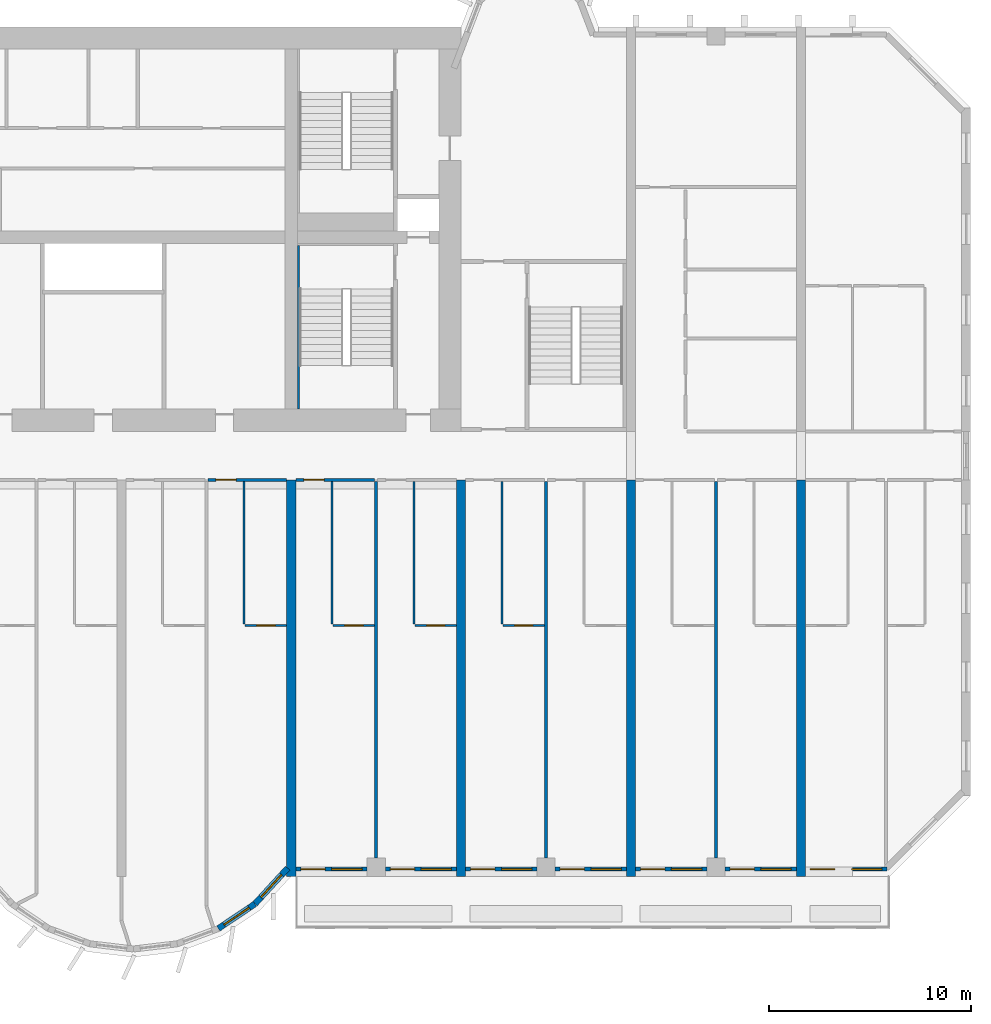
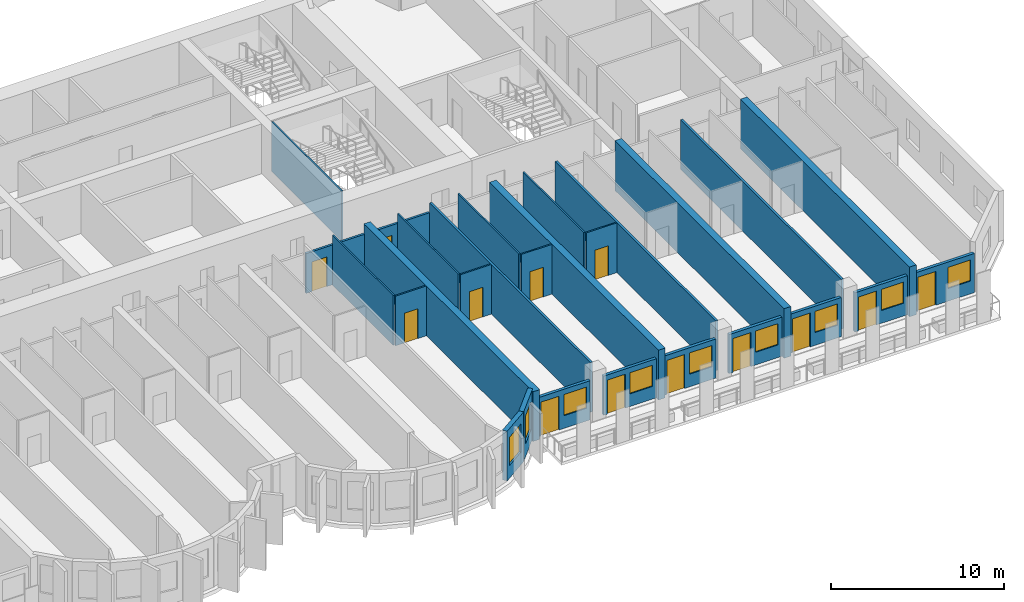
# One storey, part 8 of 15: 27 walls, 13 doors, 9 windows, 22 openings.
"""IFC4 building model written with IfcOpenShell, lengths in metres."""

from ifc_helpers import new_model, si_unit, direction, frame, frame_2d, origin, place, context, subcontext, project, spatial, rectangle, extrude, source, transform, mapped, material, layer, layer_set, type_object, element, fill, save


model = new_model("IFC4")

# Units and contexts
model_context = context("Model", 3, precision=1e-05, world=origin(), true_north=direction((0.0, 1.0)))
body_context = subcontext(model_context, "Body", "Model", "MODEL_VIEW")
ifc_project = project(units=[si_unit("LENGTHUNIT", "METRE"), si_unit("AREAUNIT", "SQUARE_METRE"), si_unit("VOLUMEUNIT", "CUBIC_METRE"), si_unit("PLANEANGLEUNIT", "RADIAN"), si_unit("MASSUNIT", "GRAM", prefix="KILO")], contexts=[model_context])

# Site, building, storey
site_placement = place(None, origin())
site = spatial("IfcSite", under=ifc_project, at=site_placement, CompositionType="ELEMENT")
building_placement = place(site_placement, origin())
building = spatial("IfcBuilding", under=site, at=building_placement, Name="Vanashikhar Sky Hotel", CompositionType="ELEMENT")
storey_placement = place(building_placement, frame((0.0, 0.0, 31.60009765625)))
storey = spatial("IfcBuildingStorey", under=building, at=storey_placement, Name="L06", CompositionType="ELEMENT", Elevation=31.60009765625)

# Walls
ifc_material_1 = material(Name="Concrete M80", Category="concrete")
ifc_layer_1 = layer(ifc_material_1, 0.449951171875)
ifc_layer_set_1 = layer_set([ifc_layer_1], Name="RC shear wall 450 Concrete M80")
wall_type_1 = type_object("IfcWallType", Name="RC shear wall 450 Concrete M80", PredefinedType="SHEAR", material=ifc_layer_set_1)
shared_shape_1 = source(origin(), body_context, "Body", "SweptSolid", [
    extrude(rectangle(XDim=19.60009765625, YDim=0.449951171875, at=frame_2d((9.800048828125, 0.0))), origin(), (0.0, 0.0, 1.0), 3.52001953125),
])
for number, where, z_axis, x_axis, name in (
    (1, (67.199951171875, 0.0, 0.0), (0.0, 0.0, 1.0), (0.0, 1.0, 0.0), "CW-L06-XW09-1"),
    (2, (75.60009765625, 0.0, 0.0), (0.0, 0.0, 1.0), (0.0, 1.0, 0.0), "CW-L06-XW10-1"),
    (3, (84.0, 0.0, 0.0), (0.0, 0.0, 1.0), (0.0, 1.0, 0.0), "CW-L06-XW11-1"),
    (4, (92.39990234375, 0.0, 0.0), (0.0, 0.0, 1.0), (0.0, 1.0, 0.0), "CW-L06-XW12-1"),
):
    element("IfcWall", number, at=place(storey_placement, frame(where, z_axis=z_axis, x_axis=x_axis)), inside=storey, type_object=wall_type_1, Name=name, PredefinedType="SHEAR", context=body_context, shape_type="MappedRepresentation", body=[
        mapped(shared_shape_1, transform((0.0, 0.0, 0.0), scale=1.0)),
    ])

# Wall, openings, window, door
ifc_material_2 = material(Name="Concrete M50", Category="concrete")
ifc_layer_2 = layer(ifc_material_2, 0.199951171875)
ifc_layer_set_2 = layer_set([ifc_layer_2], Name="Front window wall 200")
wall_type_2 = type_object("IfcWallType", Name="Front window wall 200", PredefinedType="SOLIDWALL", material=ifc_layer_set_2)
shared_shape_2 = source(origin(), body_context, "Body", "SweptSolid", [
    extrude(rectangle(XDim=4.030029296875, YDim=0.199951171875, at=frame_2d((2.01513671875, 0.0))), origin(), (0.0, 0.0, 1.0), 2.77001953125),
])
wall_1_placement = place(storey_placement, frame((92.625, 0.35009765625, 0.0), z_axis=(0.0, 0.0, 1.0), x_axis=(1.0, 0.0, 0.0)))
wall_1 = element("IfcWall", 5, at=wall_1_placement, inside=storey, type_object=wall_type_2, Name="Front window wall", PredefinedType="SOLIDWALL", context=body_context, shape_type="MappedRepresentation", body=[
    mapped(shared_shape_2, transform((0.0, 0.0, 0.0), scale=1.0)),
])
shared_shape_3 = source(origin(), body_context, "Body", "SweptSolid", [
    extrude(rectangle(XDim=1.199951171875, YDim=2.39990234375, at=frame_2d((0.60009765625, 1.199951171875))), frame((0.0, 0.10986328125, 0.0), z_axis=(0.0, -1.0, 0.0), x_axis=(1.0, 0.0, 0.0)), (0.0, 0.0, 1.0), 0.219970703125),
])
opening_1_placement = place(wall_1_placement, frame((0.25, 0.0, 0.0)))
opening_1 = element("IfcOpeningElement", 6, at=opening_1_placement, cuts=wall_1, Name="Opening BD-14", PredefinedType="OPENING", context=body_context, shape_type="MappedRepresentation", body=[
    mapped(shared_shape_3, transform((0.0, 0.0, 0.0), scale=1.0)),
])
shared_shape_4 = source(origin(), body_context, "Body", "SweptSolid", [
    extrude(rectangle(XDim=1.5, YDim=1.5, at=frame_2d((0.75, 0.75))), frame((0.0, 0.10986328125, 0.0), z_axis=(0.0, -1.0, 0.0), x_axis=(1.0, 0.0, 0.0)), (0.0, 0.0, 1.0), 0.219970703125),
])
opening_2_placement = place(wall_1_placement, frame((2.280029296875, 0.0, 0.89990234375)))
opening_2 = element("IfcOpeningElement", 7, at=opening_2_placement, cuts=wall_1, Name="Opening WN-1", PredefinedType="OPENING", context=body_context, shape_type="MappedRepresentation", body=[
    mapped(shared_shape_4, transform((0.0, 0.0, 0.0), scale=1.0)),
])
ifc_material_3 = material(Name="Glass", Category="glass")
window_type_1 = type_object("IfcWindowType", Name="Window 1500 x 1500", PartitioningType="SINGLE_PANEL", PredefinedType="WINDOW", material=ifc_material_3)
shared_shape_5 = source(origin(), body_context, "Body", "SweptSolid", [
    extrude(rectangle(XDim=1.5, YDim=1.5, at=frame_2d((0.75, 0.75))), frame((0.0, 0.030029296875, 0.0), z_axis=(0.0, -1.0, 0.0), x_axis=(1.0, 0.0, 0.0)), (0.0, 0.0, 1.0), 0.06005859375),
])
window_1_placement = place(opening_2_placement, origin())
window_1 = element("IfcWindow", 8, at=window_1_placement, inside=storey, type_object=window_type_1, Name="Window WN-1", OverallHeight=1.5, OverallWidth=1.5, PartitioningType="SINGLE_PANEL", PredefinedType="WINDOW", context=body_context, shape_type="MappedRepresentation", body=[
    mapped(shared_shape_5, transform((0.0, 0.0, 0.0), scale=1.0)),
])
fill(opening_2, window_1)
ifc_material_4 = material(Name="Aluminium", Category="aluminium")
door_type_1 = type_object("IfcDoorType", Name="Balcony sliding door 1200 x 2400", OperationType="NOTDEFINED", PredefinedType="DOOR", material=ifc_material_4)
shared_shape_6 = source(origin(), body_context, "Body", "SweptSolid", [
    extrude(rectangle(XDim=1.199951171875, YDim=2.39990234375, at=frame_2d((0.60009765625, 1.199951171875))), frame((0.0, 0.02490234375, 0.0), z_axis=(0.0, -1.0, 0.0), x_axis=(1.0, 0.0, 0.0)), (0.0, 0.0, 1.0), 0.050048828125),
])
door_1_placement = place(opening_1_placement, origin())
door_1 = element("IfcDoor", 9, at=door_1_placement, inside=storey, type_object=door_type_1, Name="Balcony sliding door", OperationType="SLIDING_TO_RIGHT", OverallHeight=2.39990234375, OverallWidth=1.199951171875, PredefinedType="DOOR", context=body_context, shape_type="MappedRepresentation", body=[
    mapped(shared_shape_6, transform((0.0, 0.0, 0.0), scale=1.0)),
])
fill(opening_1, door_1)

shared_shape_7 = source(origin(), body_context, "Body", "SweptSolid", [
    extrude(rectangle(XDim=3.52490234375, YDim=0.199951171875, at=frame_2d((1.762451171875, 0.0))), origin(), (0.0, 0.0, 1.0), 2.77001953125),
])
wall_2_placement = place(storey_placement, frame((67.425048828125, 0.35009765625, 0.0), z_axis=(0.0, 0.0, 1.0), x_axis=(1.0, 0.0, 0.0)))
wall_2 = element("IfcWall", 10, at=wall_2_placement, inside=storey, type_object=wall_type_2, Name="Front window wall", PredefinedType="SOLIDWALL", context=body_context, shape_type="MappedRepresentation", body=[
    mapped(shared_shape_7, transform((0.0, 0.0, 0.0), scale=1.0)),
])
opening_3_placement = place(wall_2_placement, frame((0.25, 0.0, 0.0)))
opening_3 = element("IfcOpeningElement", 11, at=opening_3_placement, cuts=wall_2, Name="Opening BD-08", PredefinedType="OPENING", context=body_context, shape_type="MappedRepresentation", body=[
    mapped(shared_shape_3, transform((0.0, 0.0, 0.0), scale=1.0)),
])
opening_4_placement = place(wall_2_placement, frame((1.77490234375, 0.0, 0.89990234375)))
opening_4 = element("IfcOpeningElement", 12, at=opening_4_placement, cuts=wall_2, Name="Opening WN-1", PredefinedType="OPENING", context=body_context, shape_type="MappedRepresentation", body=[
    mapped(shared_shape_4, transform((0.0, 0.0, 0.0), scale=1.0)),
])
window_2_placement = place(opening_4_placement, origin())
window_2 = element("IfcWindow", 13, at=window_2_placement, inside=storey, type_object=window_type_1, Name="Window WN-1", OverallHeight=1.5, OverallWidth=1.5, PartitioningType="SINGLE_PANEL", PredefinedType="WINDOW", context=body_context, shape_type="MappedRepresentation", body=[
    mapped(shared_shape_5, transform((0.0, 0.0, 0.0), scale=1.0)),
])
fill(opening_4, window_2)
door_2_placement = place(opening_3_placement, origin())
door_2 = element("IfcDoor", 14, at=door_2_placement, inside=storey, type_object=door_type_1, Name="Balcony sliding door", OperationType="SLIDING_TO_RIGHT", OverallHeight=2.39990234375, OverallWidth=1.199951171875, PredefinedType="DOOR", context=body_context, shape_type="MappedRepresentation", body=[
    mapped(shared_shape_6, transform((0.0, 0.0, 0.0), scale=1.0)),
])
fill(opening_3, door_2)

wall_3_placement = place(storey_placement, frame((71.85009765625, 0.35009765625, 0.0), z_axis=(0.0, 0.0, 1.0), x_axis=(1.0, 0.0, 0.0)))
wall_3 = element("IfcWall", 15, at=wall_3_placement, inside=storey, type_object=wall_type_2, Name="Front window wall", PredefinedType="SOLIDWALL", context=body_context, shape_type="MappedRepresentation", body=[
    mapped(shared_shape_7, transform((0.0, 0.0, 0.0), scale=1.0)),
])
opening_5_placement = place(wall_3_placement, frame((0.25, 0.0, 0.0)))
opening_5 = element("IfcOpeningElement", 16, at=opening_5_placement, cuts=wall_3, Name="Opening BD-09", PredefinedType="OPENING", context=body_context, shape_type="MappedRepresentation", body=[
    mapped(shared_shape_3, transform((0.0, 0.0, 0.0), scale=1.0)),
])
opening_6_placement = place(wall_3_placement, frame((1.77490234375, 0.0, 0.89990234375)))
opening_6 = element("IfcOpeningElement", 17, at=opening_6_placement, cuts=wall_3, Name="Opening WN-1", PredefinedType="OPENING", context=body_context, shape_type="MappedRepresentation", body=[
    mapped(shared_shape_4, transform((0.0, 0.0, 0.0), scale=1.0)),
])
window_3_placement = place(opening_6_placement, origin())
window_3 = element("IfcWindow", 18, at=window_3_placement, inside=storey, type_object=window_type_1, Name="Window WN-1", OverallHeight=1.5, OverallWidth=1.5, PartitioningType="SINGLE_PANEL", PredefinedType="WINDOW", context=body_context, shape_type="MappedRepresentation", body=[
    mapped(shared_shape_5, transform((0.0, 0.0, 0.0), scale=1.0)),
])
fill(opening_6, window_3)
door_3_placement = place(opening_5_placement, origin())
door_3 = element("IfcDoor", 19, at=door_3_placement, inside=storey, type_object=door_type_1, Name="Balcony sliding door", OperationType="SLIDING_TO_LEFT", OverallHeight=2.39990234375, OverallWidth=1.199951171875, PredefinedType="DOOR", context=body_context, shape_type="MappedRepresentation", body=[
    mapped(shared_shape_6, transform((0.0, 0.0, 0.0), scale=1.0)),
])
fill(opening_5, door_3)

wall_4_placement = place(storey_placement, frame((80.25, 0.35009765625, 0.0), z_axis=(0.0, 0.0, 1.0), x_axis=(1.0, 0.0, 0.0)))
wall_4 = element("IfcWall", 20, at=wall_4_placement, inside=storey, type_object=wall_type_2, Name="Front window wall", PredefinedType="SOLIDWALL", context=body_context, shape_type="MappedRepresentation", body=[
    mapped(shared_shape_7, transform((0.0, 0.0, 0.0), scale=1.0)),
])
opening_7_placement = place(wall_4_placement, frame((0.25, 0.0, 0.0)))
opening_7 = element("IfcOpeningElement", 21, at=opening_7_placement, cuts=wall_4, Name="Opening BD-11", PredefinedType="OPENING", context=body_context, shape_type="MappedRepresentation", body=[
    mapped(shared_shape_3, transform((0.0, 0.0, 0.0), scale=1.0)),
])
opening_8_placement = place(wall_4_placement, frame((1.77490234375, 0.0, 0.89990234375)))
opening_8 = element("IfcOpeningElement", 22, at=opening_8_placement, cuts=wall_4, Name="Opening WN-1", PredefinedType="OPENING", context=body_context, shape_type="MappedRepresentation", body=[
    mapped(shared_shape_4, transform((0.0, 0.0, 0.0), scale=1.0)),
])
window_4_placement = place(opening_8_placement, origin())
window_4 = element("IfcWindow", 23, at=window_4_placement, inside=storey, type_object=window_type_1, Name="Window WN-1", OverallHeight=1.5, OverallWidth=1.5, PartitioningType="SINGLE_PANEL", PredefinedType="WINDOW", context=body_context, shape_type="MappedRepresentation", body=[
    mapped(shared_shape_5, transform((0.0, 0.0, 0.0), scale=1.0)),
])
fill(opening_8, window_4)
door_4_placement = place(opening_7_placement, origin())
door_4 = element("IfcDoor", 24, at=door_4_placement, inside=storey, type_object=door_type_1, Name="Balcony sliding door", OperationType="SLIDING_TO_LEFT", OverallHeight=2.39990234375, OverallWidth=1.199951171875, PredefinedType="DOOR", context=body_context, shape_type="MappedRepresentation", body=[
    mapped(shared_shape_6, transform((0.0, 0.0, 0.0), scale=1.0)),
])
fill(opening_7, door_4)

wall_5_placement = place(storey_placement, frame((84.22509765625, 0.35009765625, 0.0), z_axis=(0.0, 0.0, 1.0), x_axis=(1.0, 0.0, 0.0)))
wall_5 = element("IfcWall", 25, at=wall_5_placement, inside=storey, type_object=wall_type_2, Name="Front window wall", PredefinedType="SOLIDWALL", context=body_context, shape_type="MappedRepresentation", body=[
    mapped(shared_shape_7, transform((0.0, 0.0, 0.0), scale=1.0)),
])
opening_9_placement = place(wall_5_placement, frame((0.25, 0.0, 0.0)))
opening_9 = element("IfcOpeningElement", 26, at=opening_9_placement, cuts=wall_5, Name="Opening BD-12", PredefinedType="OPENING", context=body_context, shape_type="MappedRepresentation", body=[
    mapped(shared_shape_3, transform((0.0, 0.0, 0.0), scale=1.0)),
])
opening_10_placement = place(wall_5_placement, frame((1.77490234375, 0.0, 0.89990234375)))
opening_10 = element("IfcOpeningElement", 27, at=opening_10_placement, cuts=wall_5, Name="Opening WN-1", PredefinedType="OPENING", context=body_context, shape_type="MappedRepresentation", body=[
    mapped(shared_shape_4, transform((0.0, 0.0, 0.0), scale=1.0)),
])
window_5_placement = place(opening_10_placement, origin())
window_5 = element("IfcWindow", 28, at=window_5_placement, inside=storey, type_object=window_type_1, Name="Window WN-1", OverallHeight=1.5, OverallWidth=1.5, PartitioningType="SINGLE_PANEL", PredefinedType="WINDOW", context=body_context, shape_type="MappedRepresentation", body=[
    mapped(shared_shape_5, transform((0.0, 0.0, 0.0), scale=1.0)),
])
fill(opening_10, window_5)
door_5_placement = place(opening_9_placement, origin())
door_5 = element("IfcDoor", 29, at=door_5_placement, inside=storey, type_object=door_type_1, Name="Balcony sliding door", OperationType="SLIDING_TO_RIGHT", OverallHeight=2.39990234375, OverallWidth=1.199951171875, PredefinedType="DOOR", context=body_context, shape_type="MappedRepresentation", body=[
    mapped(shared_shape_6, transform((0.0, 0.0, 0.0), scale=1.0)),
])
fill(opening_9, door_5)

shared_shape_8 = source(origin(), body_context, "Body", "SweptSolid", [
    extrude(rectangle(XDim=3.525146484375, YDim=0.199951171875, at=frame_2d((1.7626953125, 0.0))), origin(), (0.0, 0.0, 1.0), 2.77001953125),
])
wall_6_placement = place(storey_placement, frame((75.824951171875, 0.35009765625, 0.0), z_axis=(0.0, 0.0, 1.0), x_axis=(1.0, 0.0, 0.0)))
wall_6 = element("IfcWall", 30, at=wall_6_placement, inside=storey, type_object=wall_type_2, Name="Front window wall", PredefinedType="SOLIDWALL", context=body_context, shape_type="MappedRepresentation", body=[
    mapped(shared_shape_8, transform((0.0, 0.0, 0.0), scale=1.0)),
])
opening_11_placement = place(wall_6_placement, frame((0.25, 0.0, 0.0)))
opening_11 = element("IfcOpeningElement", 31, at=opening_11_placement, cuts=wall_6, Name="Opening BD-10", PredefinedType="OPENING", context=body_context, shape_type="MappedRepresentation", body=[
    mapped(shared_shape_3, transform((0.0, 0.0, 0.0), scale=1.0)),
])
opening_12_placement = place(wall_6_placement, frame((1.77490234375, 0.0, 0.89990234375)))
opening_12 = element("IfcOpeningElement", 32, at=opening_12_placement, cuts=wall_6, Name="Opening WN-1", PredefinedType="OPENING", context=body_context, shape_type="MappedRepresentation", body=[
    mapped(shared_shape_4, transform((0.0, 0.0, 0.0), scale=1.0)),
])
window_6_placement = place(opening_12_placement, origin())
window_6 = element("IfcWindow", 33, at=window_6_placement, inside=storey, type_object=window_type_1, Name="Window WN-1", OverallHeight=1.5, OverallWidth=1.5, PartitioningType="SINGLE_PANEL", PredefinedType="WINDOW", context=body_context, shape_type="MappedRepresentation", body=[
    mapped(shared_shape_5, transform((0.0, 0.0, 0.0), scale=1.0)),
])
fill(opening_12, window_6)
door_6_placement = place(opening_11_placement, origin())
door_6 = element("IfcDoor", 34, at=door_6_placement, inside=storey, type_object=door_type_1, Name="Balcony sliding door", OperationType="SLIDING_TO_RIGHT", OverallHeight=2.39990234375, OverallWidth=1.199951171875, PredefinedType="DOOR", context=body_context, shape_type="MappedRepresentation", body=[
    mapped(shared_shape_6, transform((0.0, 0.0, 0.0), scale=1.0)),
])
fill(opening_11, door_6)

wall_7_placement = place(storey_placement, frame((88.64990234375, 0.35009765625, 0.0), z_axis=(0.0, 0.0, 1.0), x_axis=(1.0, 0.0, 0.0)))
wall_7 = element("IfcWall", 35, at=wall_7_placement, inside=storey, type_object=wall_type_2, Name="Front window wall", PredefinedType="SOLIDWALL", context=body_context, shape_type="MappedRepresentation", body=[
    mapped(shared_shape_8, transform((0.0, 0.0, 0.0), scale=1.0)),
])
opening_13_placement = place(wall_7_placement, frame((0.25, 0.0, 0.0)))
opening_13 = element("IfcOpeningElement", 36, at=opening_13_placement, cuts=wall_7, Name="Opening BD-13", PredefinedType="OPENING", context=body_context, shape_type="MappedRepresentation", body=[
    mapped(shared_shape_3, transform((0.0, 0.0, 0.0), scale=1.0)),
])
opening_14_placement = place(wall_7_placement, frame((1.77490234375, 0.0, 0.89990234375)))
opening_14 = element("IfcOpeningElement", 37, at=opening_14_placement, cuts=wall_7, Name="Opening WN-1", PredefinedType="OPENING", context=body_context, shape_type="MappedRepresentation", body=[
    mapped(shared_shape_4, transform((0.0, 0.0, 0.0), scale=1.0)),
])
window_7_placement = place(opening_14_placement, origin())
window_7 = element("IfcWindow", 38, at=window_7_placement, inside=storey, type_object=window_type_1, Name="Window WN-1", OverallHeight=1.5, OverallWidth=1.5, PartitioningType="SINGLE_PANEL", PredefinedType="WINDOW", context=body_context, shape_type="MappedRepresentation", body=[
    mapped(shared_shape_5, transform((0.0, 0.0, 0.0), scale=1.0)),
])
fill(opening_14, window_7)
door_7_placement = place(opening_13_placement, origin())
door_7 = element("IfcDoor", 39, at=door_7_placement, inside=storey, type_object=door_type_1, Name="Balcony sliding door", OperationType="SLIDING_TO_LEFT", OverallHeight=2.39990234375, OverallWidth=1.199951171875, PredefinedType="DOOR", context=body_context, shape_type="MappedRepresentation", body=[
    mapped(shared_shape_6, transform((0.0, 0.0, 0.0), scale=1.0)),
])
fill(opening_13, door_7)

# Wall, opening, window
ifc_layer_3 = layer(ifc_material_2, 0.300048828125)
ifc_layer_set_3 = layer_set([ifc_layer_3], Name="Lobe wall 300")
wall_type_3 = type_object("IfcWallType", Name="Lobe wall 300", PredefinedType="SOLIDWALL", material=ifc_layer_set_3)
shared_shape_9 = source(origin(), body_context, "Body", "SweptSolid", [
    extrude(rectangle(XDim=2.398193359375, YDim=0.300048828125, at=frame_2d((1.19921875, 0.0))), origin(), (0.0, 0.0, 1.0), 3.52001953125),
])
wall_8_placement = place(storey_placement, frame((65.404296875, -1.36865234375, 0.0), z_axis=(0.0, 0.0, 1.0), x_axis=(0.675374189419, 0.737475222815, 0.0)))
wall_8 = element("IfcWall", 40, at=wall_8_placement, inside=storey, type_object=wall_type_3, Name="Lobe wall", PredefinedType="SOLIDWALL", context=body_context, shape_type="MappedRepresentation", body=[
    mapped(shared_shape_9, transform((0.0, 0.0, 0.0), scale=1.0)),
])
shared_shape_10 = source(origin(), body_context, "Body", "SweptSolid", [
    extrude(rectangle(XDim=1.5, YDim=2.0, at=frame_2d((0.75, 1.0))), frame((0.0, 0.16015625, 0.0), z_axis=(0.0, -1.0, 0.0), x_axis=(1.0, 0.0, 0.0)), (0.0, 0.0, 1.0), 0.320068359375),
])
opening_15_placement = place(wall_8_placement, frame((0.44921875, 0.0, 0.89990234375)))
opening_15 = element("IfcOpeningElement", 41, at=opening_15_placement, cuts=wall_8, Name="Opening WN-2", PredefinedType="OPENING", context=body_context, shape_type="MappedRepresentation", body=[
    mapped(shared_shape_10, transform((0.0, 0.0, 0.0), scale=1.0)),
])
window_type_2 = type_object("IfcWindowType", Name="Lobe window 1500 x 2000", PartitioningType="SINGLE_PANEL", PredefinedType="WINDOW", material=ifc_material_3)
shared_shape_11 = source(origin(), body_context, "Body", "SweptSolid", [
    extrude(rectangle(XDim=1.5, YDim=2.0, at=frame_2d((0.75, 1.0))), frame((0.0, 0.030029296875, 0.0), z_axis=(0.0, -1.0, 0.0), x_axis=(1.0, 0.0, 0.0)), (0.0, 0.0, 1.0), 0.06005859375),
])
window_8_placement = place(opening_15_placement, origin())
window_8 = element("IfcWindow", 42, at=window_8_placement, inside=storey, type_object=window_type_2, Name="Window WN-2", OverallHeight=2.0, OverallWidth=1.5, PartitioningType="SINGLE_PANEL", PredefinedType="WINDOW", context=body_context, shape_type="MappedRepresentation", body=[
    mapped(shared_shape_11, transform((0.0, 0.0, 0.0), scale=1.0)),
])
fill(opening_15, window_8)

shared_shape_12 = source(origin(), body_context, "Body", "SweptSolid", [
    extrude(rectangle(XDim=2.17578125, YDim=0.300048828125, at=frame_2d((1.087890625, 0.0))), origin(), (0.0, 0.0, 1.0), 3.52001953125),
])
wall_9_placement = place(storey_placement, frame((63.59912109375, -2.58349609375, 0.0), z_axis=(0.0, 0.0, 1.0), x_axis=(0.829625727223, 0.558319937607, 0.0)))
wall_9 = element("IfcWall", 43, at=wall_9_placement, inside=storey, type_object=wall_type_3, Name="Lobe wall", PredefinedType="SOLIDWALL", context=body_context, shape_type="MappedRepresentation", body=[
    mapped(shared_shape_12, transform((0.0, 0.0, 0.0), scale=1.0)),
])
opening_16_placement = place(wall_9_placement, frame((0.337890625, 0.0, 0.89990234375)))
opening_16 = element("IfcOpeningElement", 44, at=opening_16_placement, cuts=wall_9, Name="Opening WN-2", PredefinedType="OPENING", context=body_context, shape_type="MappedRepresentation", body=[
    mapped(shared_shape_10, transform((0.0, 0.0, 0.0), scale=1.0)),
])
window_9_placement = place(opening_16_placement, origin())
window_9 = element("IfcWindow", 45, at=window_9_placement, inside=storey, type_object=window_type_2, Name="Window WN-2", OverallHeight=2.0, OverallWidth=1.5, PartitioningType="SINGLE_PANEL", PredefinedType="WINDOW", context=body_context, shape_type="MappedRepresentation", body=[
    mapped(shared_shape_11, transform((0.0, 0.0, 0.0), scale=1.0)),
])
fill(opening_16, window_9)

# Walls
ifc_layer_4 = layer(ifc_material_2, 0.10009765625)
ifc_layer_set_4 = layer_set([ifc_layer_4], Name="Stair infill wall 100")
wall_type_4 = type_object("IfcWallType", Name="Stair infill wall 100", PredefinedType="SOLIDWALL", material=ifc_layer_set_4)
shared_shape_13 = source(origin(), body_context, "Body", "SweptSolid", [
    extrude(rectangle(XDim=8.099853515625, YDim=0.10009765625, at=frame_2d((4.0498046875, 0.0))), origin(), (0.0, 0.0, 1.0), 3.52001953125),
])
wall_10_placement = place(storey_placement, frame((67.550048828125, 23.10009765625, 0.0), z_axis=(0.0, 0.0, 1.0), x_axis=(0.0, 1.0, 0.0)))
element("IfcWall", 46, at=wall_10_placement, inside=storey, type_object=wall_type_4, Name="Stair infill wall 100", PredefinedType="SOLIDWALL", context=body_context, shape_type="MappedRepresentation", body=[
    mapped(shared_shape_13, transform((0.0, 0.0, 0.0), scale=1.0)),
])
ifc_material_5 = material(Name="Gypsum plasterboard partition")
ifc_layer_5 = layer(ifc_material_5, 0.10009765625)
ifc_layer_set_5 = layer_set([ifc_layer_5], Name="Wet room partition 100")
wall_type_5 = type_object("IfcWallType", Name="Wet room partition 100", PredefinedType="PARTITIONING", material=ifc_layer_set_5)
shared_shape_14 = source(origin(), body_context, "Body", "SweptSolid", [
    extrude(rectangle(XDim=7.0498046875, YDim=0.10009765625, at=frame_2d((3.52490234375, 0.0))), origin(), (0.0, 0.0, 1.0), 3.52001953125),
])
for number, where, z_axis, x_axis, name in (
    (47, (64.875, 12.47509765625, 0.0), (0.0, 0.0, 1.0), (0.0, 1.0, 0.0), "W-L06-PW053"),
    (48, (69.22509765625, 12.47509765625, 0.0), (0.0, 0.0, 1.0), (0.0, 1.0, 0.0), "W-L06-PW057"),
    (49, (73.27490234375, 12.47509765625, 0.0), (0.0, 0.0, 1.0), (0.0, 1.0, 0.0), "W-L06-PW060"),
    (50, (77.625, 12.47509765625, 0.0), (0.0, 0.0, 1.0), (0.0, 1.0, 0.0), "W-L06-PW064"),
):
    element("IfcWall", number, at=place(storey_placement, frame(where, z_axis=z_axis, x_axis=x_axis)), inside=storey, type_object=wall_type_5, Name=name, PredefinedType="PARTITIONING", context=body_context, shape_type="MappedRepresentation", body=[
        mapped(shared_shape_14, transform((0.0, 0.0, 0.0), scale=1.0)),
    ])

# Wall, opening, door
shared_shape_15 = source(origin(), body_context, "Body", "SweptSolid", [
    extrude(rectangle(XDim=2.050048828125, YDim=0.10009765625, at=frame_2d((1.02490234375, 0.0))), origin(), (0.0, 0.0, 1.0), 3.52001953125),
])
wall_11_placement = place(storey_placement, frame((64.925048828125, 12.39990234375, 0.0), z_axis=(0.0, 0.0, 1.0), x_axis=(1.0, 0.0, 0.0)))
wall_11 = element("IfcWall", 51, at=wall_11_placement, inside=storey, type_object=wall_type_5, Name="W-L06-PW054", PredefinedType="PARTITIONING", context=body_context, shape_type="MappedRepresentation", body=[
    mapped(shared_shape_15, transform((0.0, 0.0, 0.0), scale=1.0)),
])
shared_shape_16 = source(origin(), body_context, "Body", "SweptSolid", [
    extrude(rectangle(XDim=0.89990234375, YDim=2.10009765625, at=frame_2d((0.449951171875, 1.050048828125))), frame((0.0, 0.06005859375, 0.0), z_axis=(0.0, -1.0, 0.0), x_axis=(1.0, 0.0, 0.0)), (0.0, 0.0, 1.0), 0.1201171875),
])
opening_17_placement = place(wall_11_placement, frame((0.574951171875, 0.0, 0.0)))
opening_17 = element("IfcOpeningElement", 52, at=opening_17_placement, cuts=wall_11, Name="Opening D-02", PredefinedType="OPENING", context=body_context, shape_type="MappedRepresentation", body=[
    mapped(shared_shape_16, transform((0.0, 0.0, 0.0), scale=1.0)),
])
ifc_material_6 = material(Name="Timber door", Category="wood")
door_type_2 = type_object("IfcDoorType", Name="Internal door 900", OperationType="NOTDEFINED", PredefinedType="DOOR", material=ifc_material_6)
shared_shape_17 = source(origin(), body_context, "Body", "SweptSolid", [
    extrude(rectangle(XDim=0.89990234375, YDim=2.10009765625, at=frame_2d((0.449951171875, 1.050048828125))), frame((0.0, 0.02490234375, 0.0), z_axis=(0.0, -1.0, 0.0), x_axis=(1.0, 0.0, 0.0)), (0.0, 0.0, 1.0), 0.050048828125),
])
door_8_placement = place(opening_17_placement, origin())
door_8 = element("IfcDoor", 53, at=door_8_placement, inside=storey, type_object=door_type_2, Name="D-L06-031", OperationType="SINGLE_SWING_LEFT", OverallHeight=2.10009765625, OverallWidth=0.89990234375, PredefinedType="DOOR", context=body_context, shape_type="MappedRepresentation", body=[
    mapped(shared_shape_17, transform((0.0, 0.0, 0.0), scale=1.0)),
])
fill(opening_17, door_8)

wall_12_placement = place(storey_placement, frame((69.27490234375, 12.39990234375, 0.0), z_axis=(0.0, 0.0, 1.0), x_axis=(1.0, 0.0, 0.0)))
wall_12 = element("IfcWall", 54, at=wall_12_placement, inside=storey, type_object=wall_type_5, Name="W-L06-PW058", PredefinedType="PARTITIONING", context=body_context, shape_type="MappedRepresentation", body=[
    mapped(shared_shape_15, transform((0.0, 0.0, 0.0), scale=1.0)),
])
opening_18_placement = place(wall_12_placement, frame((0.574951171875, 0.0, 0.0)))
opening_18 = element("IfcOpeningElement", 55, at=opening_18_placement, cuts=wall_12, Name="Opening D-02", PredefinedType="OPENING", context=body_context, shape_type="MappedRepresentation", body=[
    mapped(shared_shape_16, transform((0.0, 0.0, 0.0), scale=1.0)),
])
door_9_placement = place(opening_18_placement, origin())
door_9 = element("IfcDoor", 56, at=door_9_placement, inside=storey, type_object=door_type_2, Name="D-L06-033", OperationType="SINGLE_SWING_LEFT", OverallHeight=2.10009765625, OverallWidth=0.89990234375, PredefinedType="DOOR", context=body_context, shape_type="MappedRepresentation", body=[
    mapped(shared_shape_17, transform((0.0, 0.0, 0.0), scale=1.0)),
])
fill(opening_18, door_9)

wall_13_placement = place(storey_placement, frame((73.324951171875, 12.39990234375, 0.0), z_axis=(0.0, 0.0, 1.0), x_axis=(1.0, 0.0, 0.0)))
wall_13 = element("IfcWall", 57, at=wall_13_placement, inside=storey, type_object=wall_type_5, Name="W-L06-PW061", PredefinedType="PARTITIONING", context=body_context, shape_type="MappedRepresentation", body=[
    mapped(shared_shape_15, transform((0.0, 0.0, 0.0), scale=1.0)),
])
opening_19_placement = place(wall_13_placement, frame((0.574951171875, 0.0, 0.0)))
opening_19 = element("IfcOpeningElement", 58, at=opening_19_placement, cuts=wall_13, Name="Opening D-02", PredefinedType="OPENING", context=body_context, shape_type="MappedRepresentation", body=[
    mapped(shared_shape_16, transform((0.0, 0.0, 0.0), scale=1.0)),
])
door_10_placement = place(opening_19_placement, origin())
door_10 = element("IfcDoor", 59, at=door_10_placement, inside=storey, type_object=door_type_2, Name="D-L06-035", OperationType="SINGLE_SWING_LEFT", OverallHeight=2.10009765625, OverallWidth=0.89990234375, PredefinedType="DOOR", context=body_context, shape_type="MappedRepresentation", body=[
    mapped(shared_shape_17, transform((0.0, 0.0, 0.0), scale=1.0)),
])
fill(opening_19, door_10)

wall_14_placement = place(storey_placement, frame((77.675048828125, 12.39990234375, 0.0), z_axis=(0.0, 0.0, 1.0), x_axis=(1.0, 0.0, 0.0)))
wall_14 = element("IfcWall", 60, at=wall_14_placement, inside=storey, type_object=wall_type_5, Name="W-L06-PW065", PredefinedType="PARTITIONING", context=body_context, shape_type="MappedRepresentation", body=[
    mapped(shared_shape_15, transform((0.0, 0.0, 0.0), scale=1.0)),
])
opening_20_placement = place(wall_14_placement, frame((0.574951171875, 0.0, 0.0)))
opening_20 = element("IfcOpeningElement", 61, at=opening_20_placement, cuts=wall_14, Name="Opening D-02", PredefinedType="OPENING", context=body_context, shape_type="MappedRepresentation", body=[
    mapped(shared_shape_16, transform((0.0, 0.0, 0.0), scale=1.0)),
])
door_11_placement = place(opening_20_placement, origin())
door_11 = element("IfcDoor", 62, at=door_11_placement, inside=storey, type_object=door_type_2, Name="D-L06-037", OperationType="SINGLE_SWING_LEFT", OverallHeight=2.10009765625, OverallWidth=0.89990234375, PredefinedType="DOOR", context=body_context, shape_type="MappedRepresentation", body=[
    mapped(shared_shape_17, transform((0.0, 0.0, 0.0), scale=1.0)),
])
fill(opening_20, door_11)

# Walls
ifc_layer_6 = layer(ifc_material_5, 0.14990234375)
ifc_layer_set_6 = layer_set([ifc_layer_6], Name="Corridor and demising partition 150")
wall_type_6 = type_object("IfcWallType", Name="Corridor and demising partition 150", PredefinedType="PARTITIONING", material=ifc_layer_set_6)
shared_shape_18 = source(origin(), body_context, "Body", "SweptSolid", [
    extrude(rectangle(XDim=18.625, YDim=0.14990234375, at=frame_2d((9.3125, 0.0))), origin(), (0.0, 0.0, 1.0), 3.52001953125),
])
for number, where, z_axis, x_axis, name in (
    (63, (71.39990234375, 0.89990234375, 0.0), (0.0, 0.0, 1.0), (0.0, 1.0, 0.0), "W-L06-PW063"),
    (64, (79.800048828125, 0.89990234375, 0.0), (0.0, 0.0, 1.0), (0.0, 1.0, 0.0), "W-L06-PW070"),
    (65, (88.199951171875, 0.89990234375, 0.0), (0.0, 0.0, 1.0), (0.0, 1.0, 0.0), "W-L06-PW077"),
):
    element("IfcWall", number, at=place(storey_placement, frame(where, z_axis=z_axis, x_axis=x_axis)), inside=storey, type_object=wall_type_6, Name=name, PredefinedType="PARTITIONING", context=body_context, shape_type="MappedRepresentation", body=[
        mapped(shared_shape_18, transform((0.0, 0.0, 0.0), scale=1.0)),
    ])

# Wall, opening, door
shared_shape_19 = source(origin(), body_context, "Body", "SweptSolid", [
    extrude(rectangle(XDim=3.900146484375, YDim=0.14990234375, at=frame_2d((1.9501953125, 0.0))), origin(), (0.0, 0.0, 1.0), 2.81982421875),
])
wall_15_placement = place(storey_placement, frame((63.074951171875, 19.60009765625, 0.0), z_axis=(0.0, 0.0, 1.0), x_axis=(1.0, 0.0, 0.0)))
wall_15 = element("IfcWall", 66, at=wall_15_placement, inside=storey, type_object=wall_type_6, Name="W-L06-PW055", PredefinedType="PARTITIONING", context=body_context, shape_type="MappedRepresentation", body=[
    mapped(shared_shape_19, transform((0.0, 0.0, 0.0), scale=1.0)),
])
shared_shape_20 = source(origin(), body_context, "Body", "SweptSolid", [
    extrude(rectangle(XDim=1.0, YDim=2.10009765625, at=frame_2d((0.5, 1.050048828125))), frame((0.0, 0.0849609375, 0.0), z_axis=(0.0, -1.0, 0.0), x_axis=(1.0, 0.0, 0.0)), (0.0, 0.0, 1.0), 0.169921875),
])
opening_21_placement = place(wall_15_placement, frame((0.39990234375, 0.0, 0.0)))
opening_21 = element("IfcOpeningElement", 67, at=opening_21_placement, cuts=wall_15, Name="Opening D-01", PredefinedType="OPENING", context=body_context, shape_type="MappedRepresentation", body=[
    mapped(shared_shape_20, transform((0.0, 0.0, 0.0), scale=1.0)),
])
ifc_material_7 = material(Name="Timber fire door", Category="wood")
door_type_3 = type_object("IfcDoorType", Name="Guest entry door 1000 FD30S", OperationType="NOTDEFINED", PredefinedType="DOOR", material=ifc_material_7)
shared_shape_21 = source(origin(), body_context, "Body", "SweptSolid", [
    extrude(rectangle(XDim=1.0, YDim=2.10009765625, at=frame_2d((0.5, 1.050048828125))), frame((0.0, 0.02490234375, 0.0), z_axis=(0.0, -1.0, 0.0), x_axis=(1.0, 0.0, 0.0)), (0.0, 0.0, 1.0), 0.050048828125),
])
door_12_placement = place(opening_21_placement, origin())
door_12 = element("IfcDoor", 68, at=door_12_placement, inside=storey, type_object=door_type_3, Name="D-L06-032", OperationType="SINGLE_SWING_LEFT", OverallHeight=2.10009765625, OverallWidth=1.0, PredefinedType="DOOR", context=body_context, shape_type="MappedRepresentation", body=[
    mapped(shared_shape_21, transform((0.0, 0.0, 0.0), scale=1.0)),
])
fill(opening_21, door_12)

shared_shape_22 = source(origin(), body_context, "Body", "SweptSolid", [
    extrude(rectangle(XDim=3.89990234375, YDim=0.14990234375, at=frame_2d((1.949951171875, 0.0))), origin(), (0.0, 0.0, 1.0), 2.81982421875),
])
wall_16_placement = place(storey_placement, frame((67.425048828125, 19.60009765625, 0.0), z_axis=(0.0, 0.0, 1.0), x_axis=(1.0, 0.0, 0.0)))
wall_16 = element("IfcWall", 69, at=wall_16_placement, inside=storey, type_object=wall_type_6, Name="W-L06-PW059", PredefinedType="PARTITIONING", context=body_context, shape_type="MappedRepresentation", body=[
    mapped(shared_shape_22, transform((0.0, 0.0, 0.0), scale=1.0)),
])
opening_22_placement = place(wall_16_placement, frame((0.39990234375, 0.0, 0.0)))
opening_22 = element("IfcOpeningElement", 70, at=opening_22_placement, cuts=wall_16, Name="Opening D-01", PredefinedType="OPENING", context=body_context, shape_type="MappedRepresentation", body=[
    mapped(shared_shape_20, transform((0.0, 0.0, 0.0), scale=1.0)),
])
door_13_placement = place(opening_22_placement, origin())
door_13 = element("IfcDoor", 71, at=door_13_placement, inside=storey, type_object=door_type_3, Name="D-L06-034", OperationType="SINGLE_SWING_LEFT", OverallHeight=2.10009765625, OverallWidth=1.0, PredefinedType="DOOR", context=body_context, shape_type="MappedRepresentation", body=[
    mapped(shared_shape_21, transform((0.0, 0.0, 0.0), scale=1.0)),
])
fill(opening_22, door_13)

save(model, "model.ifc")
